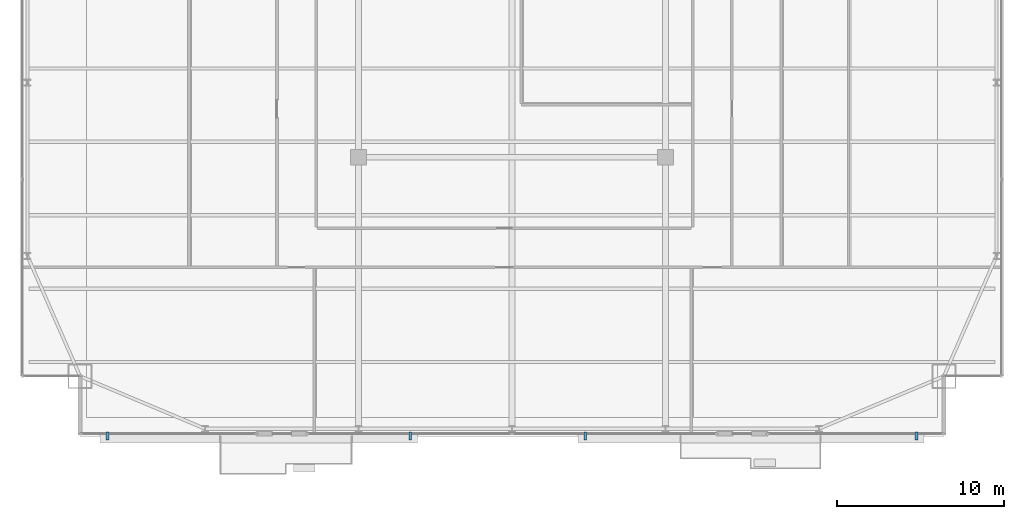
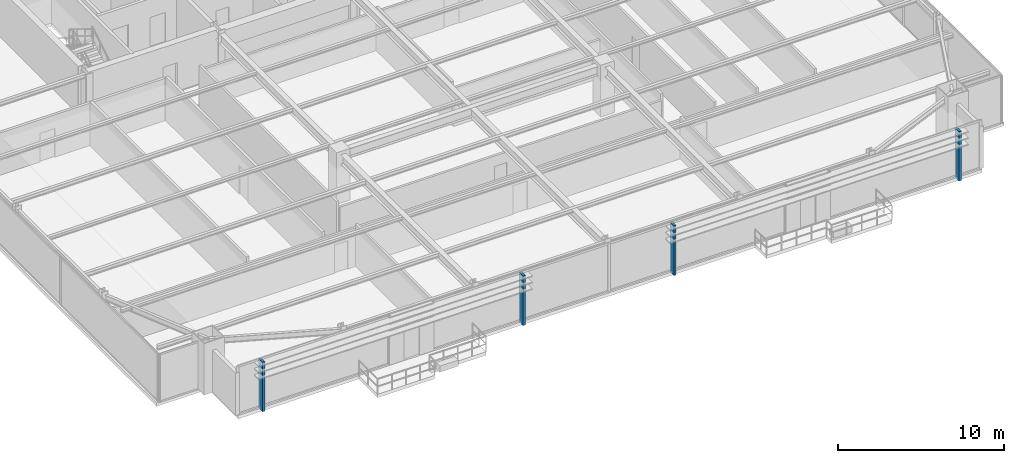
# One storey, part 30 of 32: 4 discrete accessories.
"""IFC4 building model written with IfcOpenShell, lengths in metres."""

from ifc_helpers import new_model, si_unit, direction, frame, origin, origin_2d, place, context, subcontext, project, spatial, rectangle, extrude, source, transform, mapped, material, layer, layer_set, type_object, type_shapes, element, save


model = new_model("IFC4")

# Units and contexts
model_context = context("Model", 3, precision=1e-05, world=origin(), true_north=direction((0.0, 1.0)))
body_context = subcontext(model_context, "Body", "Model", "MODEL_VIEW")
ifc_project = project(units=[si_unit("LENGTHUNIT", "METRE"), si_unit("AREAUNIT", "SQUARE_METRE"), si_unit("VOLUMEUNIT", "CUBIC_METRE"), si_unit("PLANEANGLEUNIT", "RADIAN"), si_unit("MASSUNIT", "GRAM", prefix="KILO")], contexts=[model_context])

# Site, building, storey
site_placement = place(None, origin())
site = spatial("IfcSite", under=ifc_project, at=site_placement, CompositionType="ELEMENT")
building_placement = place(site_placement, origin())
building = spatial("IfcBuilding", under=site, at=building_placement, Name="Varnel Quay Broadcast Tower", CompositionType="ELEMENT")
storey_placement = place(building_placement, frame((0.0, 0.0, 133.39990234375)))
storey = spatial("IfcBuildingStorey", under=building, at=storey_placement, Name="L32", CompositionType="ELEMENT", Elevation=133.39990234375)

# Discrete accessories
ifc_material = material(Name="Anodised Bronze Aluminium 6063-T6", Category="aluminium")
ifc_layer = layer(ifc_material, 0.47998046875, Name="Anodised Bronze Aluminium 6063-T6")
ifc_layer_set = layer_set([ifc_layer], Name="Anodised Bronze Aluminium 6063-T6")
discrete_accessory_type = type_object("IfcDiscreteAccessoryType", Name="Acc_FacadeBracket", PredefinedType="BRACKET", material=ifc_layer_set)
shared_shape = source(origin(), body_context, "Body", "SweptSolid", [
    extrude(rectangle(XDim=0.159912109375, YDim=0.47998046875, at=origin_2d()), origin(), (0.0, 0.0, 1.0), 3.64990234375),
])
type_shapes(discrete_accessory_type, [shared_shape])
for number, where, z_axis, x_axis, name in (
    (1, (9.75, 4.219970703125, -0.14990234375), (0.0, 0.0, 1.0), (1.0, 0.0, 0.0), "L32 Lobe 1 Louvre Support Bracket 1"),
    (2, (27.89404296875, 4.219970703125, -0.14990234375), (0.0, 0.0, 1.0), (1.0, 0.0, 0.0), "L32 Lobe 1 Louvre Support Bracket 2"),
    (3, (38.39404296875, 4.219970703125, -0.14990234375), (0.0, 0.0, 1.0), (1.0, 0.0, 0.0), "L32 Lobe 2 Louvre Support Bracket 1"),
    (4, (58.25, 4.219970703125, -0.14990234375), (0.0, 0.0, 1.0), (1.0, 0.0, 0.0), "L32 Lobe 2 Louvre Support Bracket 2"),
):
    element("IfcDiscreteAccessory", number, at=place(storey_placement, frame(where, z_axis=z_axis, x_axis=x_axis)), inside=storey, type_object=discrete_accessory_type, Name=name, PredefinedType="BRACKET", context=body_context, shape_type="MappedRepresentation", body=[
        mapped(shared_shape, transform((0.0, 0.0, 0.0), x_axis=(1.0, 0.0, 0.0), y_axis=(0.0, 1.0, 0.0), z_axis=(0.0, 0.0, 1.0), scale=1.0)),
    ])

save(model, "model.ifc")
